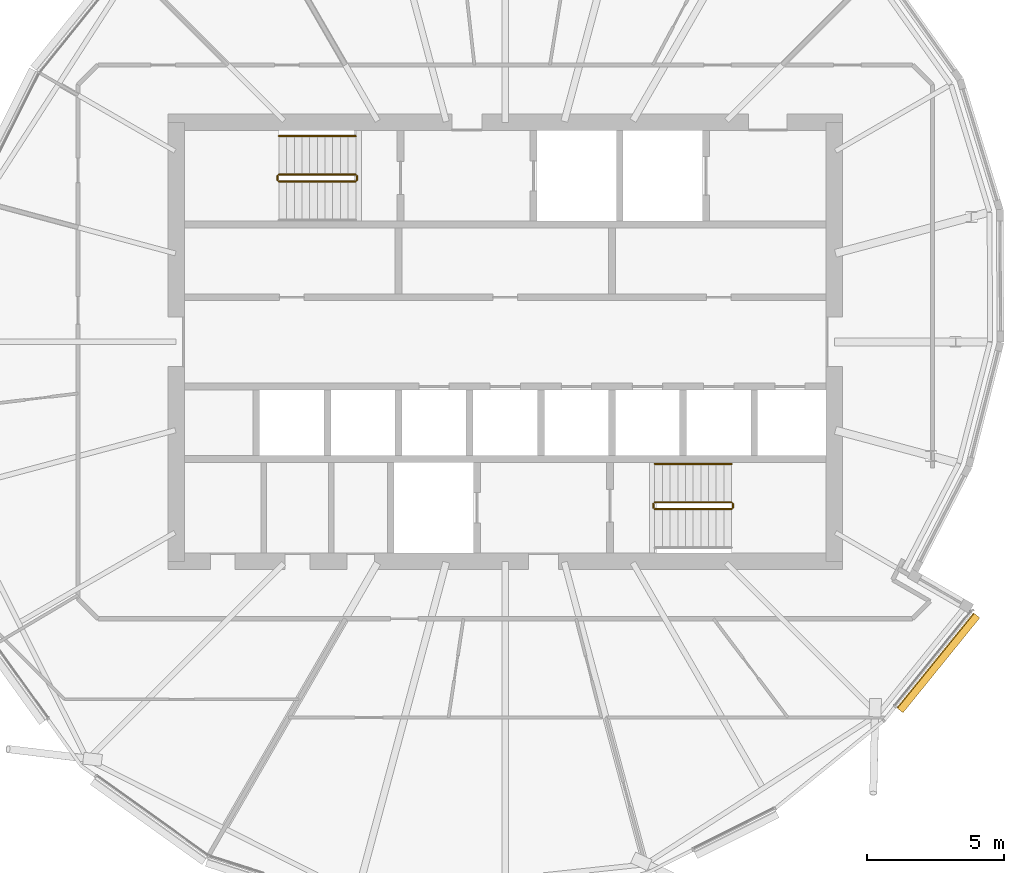
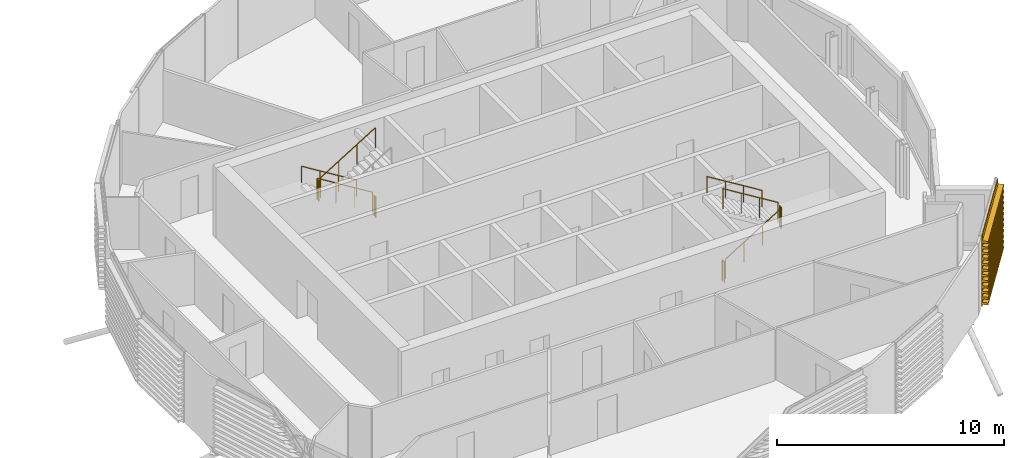
# One storey, part 35 of 36: 10 railings, 1 covering.
"""IFC4 building model written with IfcOpenShell, lengths in metres."""

from ifc_helpers import new_model, si_unit, direction, frame, origin, origin_2d, place, context, subcontext, project, spatial, polyline, circle, outline, extrude, material, material_profile, profile_set, type_object, element, save


model = new_model("IFC4")

# Units and contexts
model_context = context("Model", 3, precision=1e-05, world=origin(), true_north=direction((0.0, 1.0)))
body_context = subcontext(model_context, "Body", "Model", "MODEL_VIEW")
ifc_project = project(units=[si_unit("LENGTHUNIT", "METRE"), si_unit("AREAUNIT", "SQUARE_METRE"), si_unit("VOLUMEUNIT", "CUBIC_METRE"), si_unit("PLANEANGLEUNIT", "RADIAN"), si_unit("MASSUNIT", "GRAM", prefix="KILO")], contexts=[model_context])

# Site, building, storey
site_placement = place(None, origin())
site = spatial("IfcSite", under=ifc_project, at=site_placement, CompositionType="ELEMENT")
building_placement = place(site_placement, origin())
building = spatial("IfcBuilding", under=site, at=building_placement, Name="Rimbun Link Towers", CompositionType="ELEMENT")
storey_placement = place(building_placement, frame((0.0, 0.0, 189.300048828125)))
storey = spatial("IfcBuildingStorey", under=building, at=storey_placement, Name="L46", CompositionType="ELEMENT", Elevation=189.300048828125)

# Railings
ifc_material_1 = material(Name="Stainless steel grade 316", Category="steel")
railing_type_1 = type_object("IfcRailingType", Name="Stair guard", PredefinedType="GUARDRAIL", material=ifc_material_1)
railing_1_placement = place(storey_placement, frame((26.300048828125, 6.10009765625, 0.172607421875)))
element("IfcRailing", 1, at=railing_1_placement, inside=storey, type_object=railing_type_1, Name="L46 ST3 stair guard 1", PredefinedType="GUARDRAIL", context=body_context, shape_type="SweptSolid", body=[
    extrude(circle(Radius=0.02392578125, at=origin_2d()), frame((0.0, 0.0, 1.076171875), z_axis=(-0.851089632645, 0.0, 0.525020415988), x_axis=(0.0, -1.0, 0.0)), (0.0, 0.0, 1.0), 3.2900390625),
    extrude(circle(Radius=0.02099609375, at=origin_2d()), origin(), (0.0, 0.0, 1.0), 1.052001953125),
    extrude(circle(Radius=0.02099609375, at=origin_2d()), frame((-0.933349609375, 0.0, 0.57568359375)), (0.0, 0.0, 1.0), 1.052001953125),
    extrude(circle(Radius=0.02099609375, at=origin_2d()), frame((-1.86669921875, 0.0, 1.151611328125)), (0.0, 0.0, 1.0), 1.052001953125),
    extrude(circle(Radius=0.02099609375, at=origin_2d()), frame((-2.800048828125, 0.0, 1.727294921875)), (0.0, 0.0, 1.0), 1.052001953125),
])
railing_2_placement = place(storey_placement, frame((23.449951171875, 6.050048828125, 1.89990234375)))
element("IfcRailing", 2, at=railing_2_placement, inside=storey, type_object=railing_type_1, Name="L46 ST3 stair guard 2", PredefinedType="GUARDRAIL", context=body_context, shape_type="SweptSolid", body=[
    extrude(circle(Radius=0.02392578125, at=origin_2d()), frame((0.0, 0.0, 1.076171875), z_axis=(0.0, -1.0, 0.0), x_axis=(1.0, 0.0, 0.0)), (0.0, 0.0, 1.0), 0.150146484375),
    extrude(circle(Radius=0.02099609375, at=origin_2d()), origin(), (0.0, 0.0, 1.0), 1.052001953125),
    extrude(circle(Radius=0.02099609375, at=origin_2d()), frame((0.0, -0.150146484375, 0.0)), (0.0, 0.0, 1.0), 1.052001953125),
])
railing_3_placement = place(storey_placement, frame((23.5, 5.85009765625, 2.07275390625)))
element("IfcRailing", 3, at=railing_3_placement, inside=storey, type_object=railing_type_1, Name="L46 ST3 stair guard 3", PredefinedType="GUARDRAIL", context=body_context, shape_type="SweptSolid", body=[
    extrude(circle(Radius=0.02392578125, at=origin_2d()), frame((0.0, 0.0, 1.076171875), z_axis=(0.851089632645, 0.0, 0.525020415988), x_axis=(0.0, 1.0, 0.0)), (0.0, 0.0, 1.0), 3.2900390625),
    extrude(circle(Radius=0.02099609375, at=origin_2d()), origin(), (0.0, 0.0, 1.0), 1.052001953125),
    extrude(circle(Radius=0.02099609375, at=origin_2d()), frame((0.933349609375, 0.0, 0.57568359375)), (0.0, 0.0, 1.0), 1.052001953125),
    extrude(circle(Radius=0.02099609375, at=origin_2d()), frame((1.86669921875, 0.0, 1.151611328125)), (0.0, 0.0, 1.0), 1.052001953125),
    extrude(circle(Radius=0.02099609375, at=origin_2d()), frame((2.800048828125, 0.0, 1.727294921875)), (0.0, 0.0, 1.0), 1.052001953125),
])
railing_4_placement = place(storey_placement, frame((26.35009765625, 6.050048828125, 0.0)))
element("IfcRailing", 4, at=railing_4_placement, inside=storey, type_object=railing_type_1, Name="L46 ST3 stair guard 4", PredefinedType="GUARDRAIL", context=body_context, shape_type="SweptSolid", body=[
    extrude(circle(Radius=0.02392578125, at=origin_2d()), frame((0.0, 0.0, 1.076171875), z_axis=(0.0, -1.0, 0.0), x_axis=(1.0, 0.0, 0.0)), (0.0, 0.0, 1.0), 0.150146484375),
    extrude(circle(Radius=0.02099609375, at=origin_2d()), origin(), (0.0, 0.0, 1.0), 1.052001953125),
    extrude(circle(Radius=0.02099609375, at=origin_2d()), frame((0.0, -0.150146484375, 0.0)), (0.0, 0.0, 1.0), 1.052001953125),
])
railing_5_placement = place(storey_placement, frame((37.199951171875, -6.10009765625, 0.172607421875)))
element("IfcRailing", 5, at=railing_5_placement, inside=storey, type_object=railing_type_1, Name="L46 ST4 stair guard 1", PredefinedType="GUARDRAIL", context=body_context, shape_type="SweptSolid", body=[
    extrude(circle(Radius=0.02392578125, at=origin_2d()), frame((0.0, 0.0, 1.076171875), z_axis=(0.851089632645, 0.0, 0.525020415988), x_axis=(0.0, 1.0, 0.0)), (0.0, 0.0, 1.0), 3.2900390625),
    extrude(circle(Radius=0.02099609375, at=origin_2d()), origin(), (0.0, 0.0, 1.0), 1.052001953125),
    extrude(circle(Radius=0.02099609375, at=origin_2d()), frame((0.933349609375, 0.0, 0.57568359375)), (0.0, 0.0, 1.0), 1.052001953125),
    extrude(circle(Radius=0.02099609375, at=origin_2d()), frame((1.86669921875, 0.0, 1.151611328125)), (0.0, 0.0, 1.0), 1.052001953125),
    extrude(circle(Radius=0.02099609375, at=origin_2d()), frame((2.800048828125, 0.0, 1.727294921875)), (0.0, 0.0, 1.0), 1.052001953125),
])
railing_6_placement = place(storey_placement, frame((40.050048828125, -6.050048828125, 1.89990234375)))
element("IfcRailing", 6, at=railing_6_placement, inside=storey, type_object=railing_type_1, Name="L46 ST4 stair guard 2", PredefinedType="GUARDRAIL", context=body_context, shape_type="SweptSolid", body=[
    extrude(circle(Radius=0.02392578125, at=origin_2d()), frame((0.0, 0.0, 1.076171875), z_axis=(0.0, 1.0, 0.0), x_axis=(-1.0, 0.0, 0.0)), (0.0, 0.0, 1.0), 0.150146484375),
    extrude(circle(Radius=0.02099609375, at=origin_2d()), origin(), (0.0, 0.0, 1.0), 1.052001953125),
    extrude(circle(Radius=0.02099609375, at=origin_2d()), frame((0.0, 0.150146484375, 0.0)), (0.0, 0.0, 1.0), 1.052001953125),
])
railing_7_placement = place(storey_placement, frame((40.0, -5.85009765625, 2.07275390625)))
element("IfcRailing", 7, at=railing_7_placement, inside=storey, type_object=railing_type_1, Name="L46 ST4 stair guard 3", PredefinedType="GUARDRAIL", context=body_context, shape_type="SweptSolid", body=[
    extrude(circle(Radius=0.02392578125, at=origin_2d()), frame((0.0, 0.0, 1.076171875), z_axis=(-0.851089632645, 0.0, 0.525020415988), x_axis=(0.0, -1.0, 0.0)), (0.0, 0.0, 1.0), 3.2900390625),
    extrude(circle(Radius=0.02099609375, at=origin_2d()), origin(), (0.0, 0.0, 1.0), 1.052001953125),
    extrude(circle(Radius=0.02099609375, at=origin_2d()), frame((-0.933349609375, 0.0, 0.57568359375)), (0.0, 0.0, 1.0), 1.052001953125),
    extrude(circle(Radius=0.02099609375, at=origin_2d()), frame((-1.86669921875, 0.0, 1.151611328125)), (0.0, 0.0, 1.0), 1.052001953125),
    extrude(circle(Radius=0.02099609375, at=origin_2d()), frame((-2.800048828125, 0.0, 1.727294921875)), (0.0, 0.0, 1.0), 1.052001953125),
])
railing_8_placement = place(storey_placement, frame((37.14990234375, -6.050048828125, 0.0)))
element("IfcRailing", 8, at=railing_8_placement, inside=storey, type_object=railing_type_1, Name="L46 ST4 stair guard 4", PredefinedType="GUARDRAIL", context=body_context, shape_type="SweptSolid", body=[
    extrude(circle(Radius=0.02392578125, at=origin_2d()), frame((0.0, 0.0, 1.076171875), z_axis=(0.0, 1.0, 0.0), x_axis=(-1.0, 0.0, 0.0)), (0.0, 0.0, 1.0), 0.150146484375),
    extrude(circle(Radius=0.02099609375, at=origin_2d()), origin(), (0.0, 0.0, 1.0), 1.052001953125),
    extrude(circle(Radius=0.02099609375, at=origin_2d()), frame((0.0, 0.150146484375, 0.0)), (0.0, 0.0, 1.0), 1.052001953125),
])
ifc_material_2 = material(Name="Stainless steel grade 316", Category="steel")
railing_type_2 = type_object("IfcRailingType", Name="Stair handrail", PredefinedType="HANDRAIL", material=ifc_material_2)
for number, where, name in (
    (9, (26.300048828125, 7.5, 0.172607421875), "L46 ST3 stair handrail 1"),
    (10, (40.0, -4.449951171875, 2.07275390625), "L46 ST4 stair handrail 2"),
):
    element("IfcRailing", number, at=place(storey_placement, frame(where)), inside=storey, type_object=railing_type_2, Name=name, PredefinedType="HANDRAIL", context=body_context, shape_type="SweptSolid", body=[
        extrude(circle(Radius=0.02392578125, at=origin_2d()), frame((0.0, 0.0, 0.8759765625), z_axis=(-0.851089632645, 0.0, 0.525020415988), x_axis=(0.0, -1.0, 0.0)), (0.0, 0.0, 1.0), 3.2900390625),
        extrude(circle(Radius=0.02099609375, at=origin_2d()), origin(), (0.0, 0.0, 1.0), 0.851806640625),
        extrude(circle(Radius=0.02099609375, at=origin_2d()), frame((-0.933349609375, 0.0, 0.57568359375)), (0.0, 0.0, 1.0), 0.851806640625),
        extrude(circle(Radius=0.02099609375, at=origin_2d()), frame((-1.86669921875, 0.0, 1.151611328125)), (0.0, 0.0, 1.0), 0.851806640625),
        extrude(circle(Radius=0.02099609375, at=origin_2d()), frame((-2.800048828125, 0.0, 1.727294921875)), (0.0, 0.0, 1.0), 0.851806640625),
    ])

# Covering
ifc_material_3 = material(Name="Terracotta", Category="masonry")
ifc_material_profile = material_profile(ifc_material_3, outline(polyline([(0.123046875, 0.0), (0.1630859375, 0.0), (0.1630859375, 0.10009765625), (0.423095703125, 0.10009765625), (0.423095703125, 0.219970703125), (0.1630859375, 0.219970703125), (0.1630859375, 0.39990234375), (0.423095703125, 0.39990234375), (0.423095703125, 0.52001953125), (0.1630859375, 0.52001953125), (0.1630859375, 0.699951171875), (0.423095703125, 0.699951171875), (0.423095703125, 0.820068359375), (0.1630859375, 0.820068359375), (0.1630859375, 1.0), (0.423095703125, 1.0), (0.423095703125, 1.1201171875), (0.1630859375, 1.1201171875), (0.1630859375, 1.300048828125), (0.423095703125, 1.300048828125), (0.423095703125, 1.419921875), (0.1630859375, 1.419921875), (0.1630859375, 1.60009765625), (0.423095703125, 1.60009765625), (0.423095703125, 1.719970703125), (0.1630859375, 1.719970703125), (0.1630859375, 1.89990234375), (0.423095703125, 1.89990234375), (0.423095703125, 2.02001953125), (0.1630859375, 2.02001953125), (0.1630859375, 2.199951171875), (0.423095703125, 2.199951171875), (0.423095703125, 2.320068359375), (0.1630859375, 2.320068359375), (0.1630859375, 2.5), (0.423095703125, 2.5), (0.423095703125, 2.6201171875), (0.1630859375, 2.6201171875), (0.1630859375, 2.800048828125), (0.423095703125, 2.800048828125), (0.423095703125, 2.919921875), (0.1630859375, 2.919921875), (0.1630859375, 3.10009765625), (0.423095703125, 3.10009765625), (0.423095703125, 3.219970703125), (0.1630859375, 3.219970703125), (0.1630859375, 3.39990234375), (0.423095703125, 3.39990234375), (0.423095703125, 3.52001953125), (0.1630859375, 3.52001953125), (0.1630859375, 3.800048828125), (0.123046875, 3.800048828125), (0.123046875, 0.0)])), Name="BAGUETTE 120X300")
ifc_profile_set = profile_set([ifc_material_profile], Name="Terracotta")
covering_type = type_object("IfcCoveringType", Name="TERRACOTTA BAGUETTE 120X300 H3800", PredefinedType="CLADDING", material=ifc_profile_set)
covering_placement = place(storey_placement, frame((48.722900390625, -9.79931640625, 0.0), z_axis=(-0.629133527488, -0.777297243396, 0.0), x_axis=(0.777297243396, -0.629133527488, 0.0)))
element("IfcCovering", 11, at=covering_placement, inside=storey, type_object=covering_type, Name="TERRACOTTA BAGUETTE", PredefinedType="CLADDING", context=body_context, shape_type="SweptSolid", body=[
    extrude(outline(polyline([(0.123046875, 0.0), (0.1630859375, 0.0), (0.1630859375, 0.10009765625), (0.423095703125, 0.10009765625), (0.423095703125, 0.219970703125), (0.1630859375, 0.219970703125), (0.1630859375, 0.39990234375), (0.423095703125, 0.39990234375), (0.423095703125, 0.52001953125), (0.1630859375, 0.52001953125), (0.1630859375, 0.699951171875), (0.423095703125, 0.699951171875), (0.423095703125, 0.820068359375), (0.1630859375, 0.820068359375), (0.1630859375, 1.0), (0.423095703125, 1.0), (0.423095703125, 1.1201171875), (0.1630859375, 1.1201171875), (0.1630859375, 1.300048828125), (0.423095703125, 1.300048828125), (0.423095703125, 1.419921875), (0.1630859375, 1.419921875), (0.1630859375, 1.60009765625), (0.423095703125, 1.60009765625), (0.423095703125, 1.719970703125), (0.1630859375, 1.719970703125), (0.1630859375, 1.89990234375), (0.423095703125, 1.89990234375), (0.423095703125, 2.02001953125), (0.1630859375, 2.02001953125), (0.1630859375, 2.199951171875), (0.423095703125, 2.199951171875), (0.423095703125, 2.320068359375), (0.1630859375, 2.320068359375), (0.1630859375, 2.5), (0.423095703125, 2.5), (0.423095703125, 2.6201171875), (0.1630859375, 2.6201171875), (0.1630859375, 2.800048828125), (0.423095703125, 2.800048828125), (0.423095703125, 2.919921875), (0.1630859375, 2.919921875), (0.1630859375, 3.10009765625), (0.423095703125, 3.10009765625), (0.423095703125, 3.219970703125), (0.1630859375, 3.219970703125), (0.1630859375, 3.39990234375), (0.423095703125, 3.39990234375), (0.423095703125, 3.52001953125), (0.1630859375, 3.52001953125), (0.1630859375, 3.800048828125), (0.123046875, 3.800048828125), (0.123046875, 0.0)])), origin(), (0.0, 0.0, 1.0), 4.45068359375),
])

save(model, "model.ifc")
